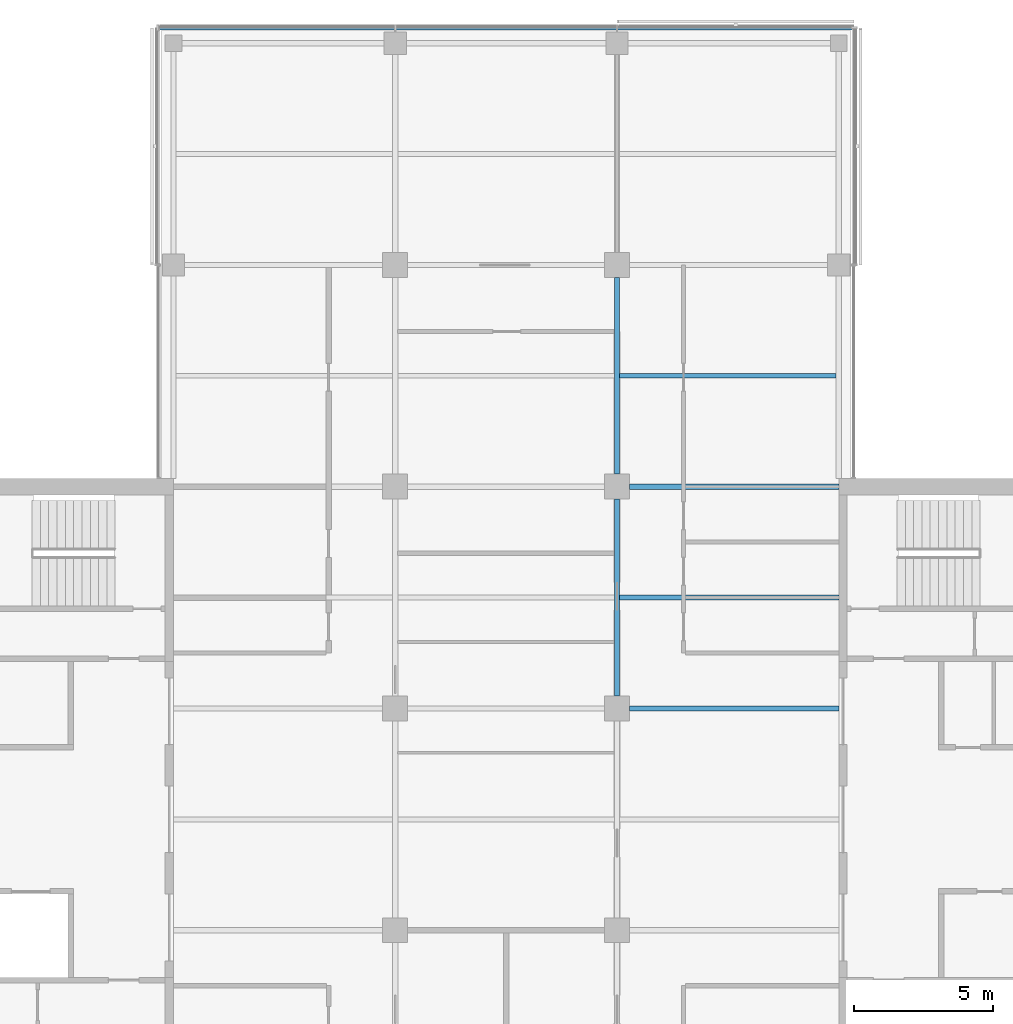
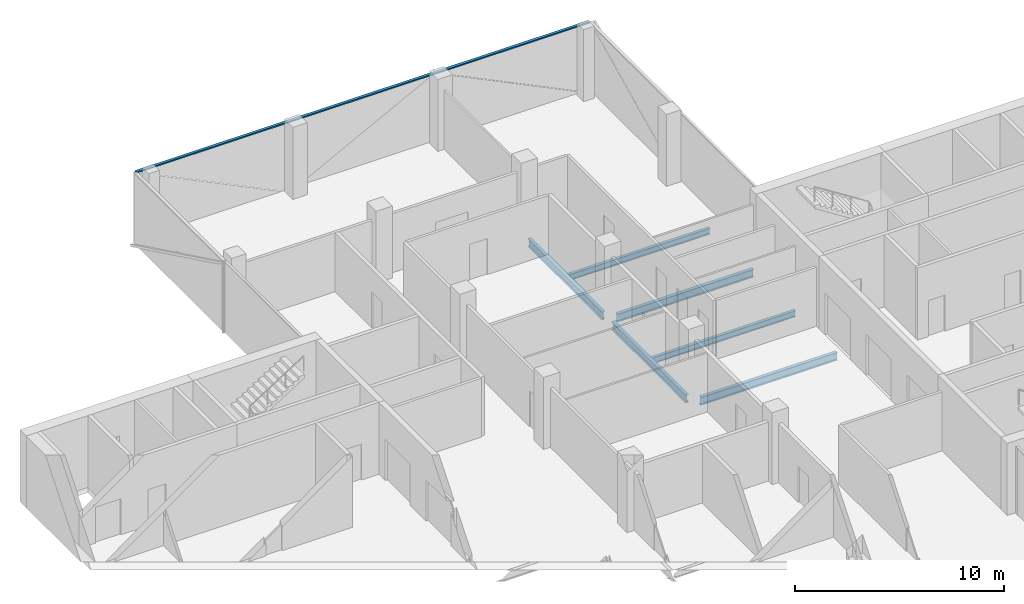
# One storey, part 6 of 15: 6 beams, 1 member, 1 element without a shape of its own.
"""IFC4 building model written with IfcOpenShell, lengths in metres."""

from ifc_helpers import new_model, si_unit, direction, frame, origin, origin_2d, place, context, subcontext, project, spatial, rectangle, i_section, extrude, material, material_profile, profile_set, type_object, element, aggregate, save


model = new_model("IFC4")

# Units and contexts
model_context = context("Model", 3, precision=1e-05, world=origin(), true_north=direction((0.0, 1.0)))
body_context = subcontext(model_context, "Body", "Model", "MODEL_VIEW")
ifc_project = project(units=[si_unit("LENGTHUNIT", "METRE"), si_unit("AREAUNIT", "SQUARE_METRE"), si_unit("VOLUMEUNIT", "CUBIC_METRE"), si_unit("PLANEANGLEUNIT", "RADIAN"), si_unit("MASSUNIT", "GRAM", prefix="KILO")], contexts=[model_context])

# Site, building, storey
site_placement = place(None, origin())
site = spatial("IfcSite", under=ifc_project, at=site_placement, CompositionType="ELEMENT")
building_placement = place(site_placement, origin())
building = spatial("IfcBuilding", under=site, at=building_placement, Name="Crosswind Convention Tower", CompositionType="ELEMENT")
storey_placement = place(building_placement, frame((0.0, 0.0, 229.300048828125)))
storey = spatial("IfcBuildingStorey", under=building, at=storey_placement, Name="L49", CompositionType="ELEMENT", Elevation=229.300048828125)

# Beams
ifc_material_1 = material(Name="Steel S355", Category="steel")
ifc_material_profile_1 = material_profile(ifc_material_1, i_section(OverallWidth=0.1904296875, OverallDepth=0.457275390625, WebThickness=0.009033203125, FlangeThickness=0.014404296875, FilletRadius=0.01025390625, at=origin_2d()), Name="UB 457x191x75")
ifc_profile_set_1 = profile_set([ifc_material_profile_1], Name="Steel S355")
beam_type_1 = type_object("IfcBeamType", Name="Girder UB 457x191x75", PredefinedType="BEAM", material=ifc_profile_set_1)
for number, where, z_axis, x_axis, name in (
    (1, (129.0, 104.449951171875, -0.528564453125), (0.0, 1.0, 0.0), (-1.0, 0.0, 0.0), "B2 L49 girder 20"),
    (2, (129.0, 112.449951171875, -0.528564453125), (0.0, 1.0, 0.0), (-1.0, 0.0, 0.0), "B2 L49 girder 21"),
):
    element("IfcBeam", number, at=place(storey_placement, frame(where, z_axis=z_axis, x_axis=x_axis)), inside=storey, type_object=beam_type_1, Name=name, PredefinedType="BEAM", context=body_context, shape_type="SweptSolid", body=[
        extrude(i_section(OverallWidth=0.1904296875, OverallDepth=0.457275390625, WebThickness=0.009033203125, FlangeThickness=0.014404296875, FilletRadius=0.01025390625, at=origin_2d()), origin(), (0.0, 0.0, 1.0), 7.10009765625),
    ])
ifc_material_profile_2 = material_profile(ifc_material_1, i_section(OverallWidth=0.19140625, OverallDepth=0.460205078125, WebThickness=0.010009765625, FlangeThickness=0.01611328125, FilletRadius=0.01025390625, at=origin_2d()), Name="UB 457x191x82")
ifc_profile_set_2 = profile_set([ifc_material_profile_2], Name="Steel S355")
beam_type_2 = type_object("IfcBeamType", Name="Girder at core wall UB 457x191x82", PredefinedType="BEAM", material=ifc_profile_set_2)
for number, where, z_axis, x_axis, name in (
    (3, (129.449951171875, 104.0, -0.530029296875), (1.0, 0.0, 0.0), (0.0, 1.0, 0.0), "B23 L49 girder at core wall 7"),
    (4, (129.449951171875, 112.0, -0.530029296875), (1.0, 0.0, 0.0), (0.0, 1.0, 0.0), "B23 L49 girder at core wall 8"),
):
    element("IfcBeam", number, at=place(storey_placement, frame(where, z_axis=z_axis, x_axis=x_axis)), inside=storey, type_object=beam_type_2, Name=name, PredefinedType="BEAM", context=body_context, shape_type="SweptSolid", body=[
        extrude(i_section(OverallWidth=0.19140625, OverallDepth=0.460205078125, WebThickness=0.010009765625, FlangeThickness=0.01611328125, FilletRadius=0.01025390625, at=origin_2d()), origin(), (0.0, 0.0, 1.0), 7.550048828125),
    ])
ifc_material_profile_3 = material_profile(ifc_material_1, i_section(OverallWidth=0.172119140625, OverallDepth=0.358642578125, WebThickness=0.008056640625, FlangeThickness=0.012939453125, FilletRadius=0.01025390625, at=origin_2d()), Name="UB 356x171x57")
ifc_profile_set_3 = profile_set([ifc_material_profile_3], Name="Steel S355")
beam_type_3 = type_object("IfcBeamType", Name="Secondary beam UB 356x171x57", PredefinedType="JOIST", material=ifc_profile_set_3)
beam_1_placement = place(storey_placement, frame((129.09521484375, 108.0, -0.479248046875), z_axis=(1.0, 0.0, 0.0), x_axis=(0.0, 1.0, 0.0)))
element("IfcBeam", 5, at=beam_1_placement, inside=storey, type_object=beam_type_3, Name="B9 L49 secondary beam 19", PredefinedType="JOIST", context=body_context, shape_type="SweptSolid", body=[
    extrude(i_section(OverallWidth=0.172119140625, OverallDepth=0.358642578125, WebThickness=0.008056640625, FlangeThickness=0.012939453125, FilletRadius=0.01025390625, at=origin_2d()), origin(), (0.0, 0.0, 1.0), 7.90478515625),
])
beam_2_placement = place(storey_placement, frame((129.09521484375, 116.0, -0.479248046875), z_axis=(1.0, 0.0, 0.0), x_axis=(0.0, 1.0, 0.0)))
element("IfcBeam", 6, at=beam_2_placement, inside=storey, type_object=beam_type_3, Name="B9 L49 secondary beam 20", PredefinedType="JOIST", context=body_context, shape_type="SweptSolid", body=[
    extrude(i_section(OverallWidth=0.172119140625, OverallDepth=0.358642578125, WebThickness=0.008056640625, FlangeThickness=0.012939453125, FilletRadius=0.01025390625, at=origin_2d()), origin(), (0.0, 0.0, 1.0), 7.809814453125),
])

# Curtain wall, member
ifc_material_2 = material(Name="Aluminium unitised curtain wall", Category="aluminium")
curtain_wall_type = type_object("IfcCurtainWallType", Name="OFFICE UNITISED WALL 220", PredefinedType="USERDEFINED", material=ifc_material_2)
curtain_wall_placement = place(storey_placement, origin())
curtain_wall = element("IfcCurtainWall", 7, at=curtain_wall_placement, inside=storey, type_object=curtain_wall_type, Name="CW3 L49 N-TIP 1", ObjectType="UNITISED", PredefinedType="USERDEFINED")
ifc_material_3 = material(Name="Aluminium transom", Category="aluminium")
ifc_material_profile_4 = material_profile(ifc_material_3, rectangle(XDim=0.159912109375, YDim=0.070068359375, at=origin_2d()), Name="AL 160X70")
ifc_profile_set_4 = profile_set([ifc_material_profile_4], Name="Aluminium transom")
member_type = type_object("IfcMemberType", Name="TRANSOM 70X160", PredefinedType="USERDEFINED", material=ifc_profile_set_4)
member_placement = place(storey_placement, frame((137.52490234375, 128.56005859375, 3.864990234375), z_axis=(-1.0, 0.0, 0.0), x_axis=(0.0, -1.0, 0.0)))
member = element("IfcMember", 8, at=member_placement, type_object=member_type, Name="CW3 transom", ObjectType="TRANSOM", PredefinedType="USERDEFINED", context=body_context, shape_type="SweptSolid", body=[
    extrude(rectangle(XDim=0.159912109375, YDim=0.070068359375, at=origin_2d()), origin(), (0.0, 0.0, 1.0), 25.0498046875),
])
aggregate(curtain_wall, [member])

save(model, "model.ifc")
